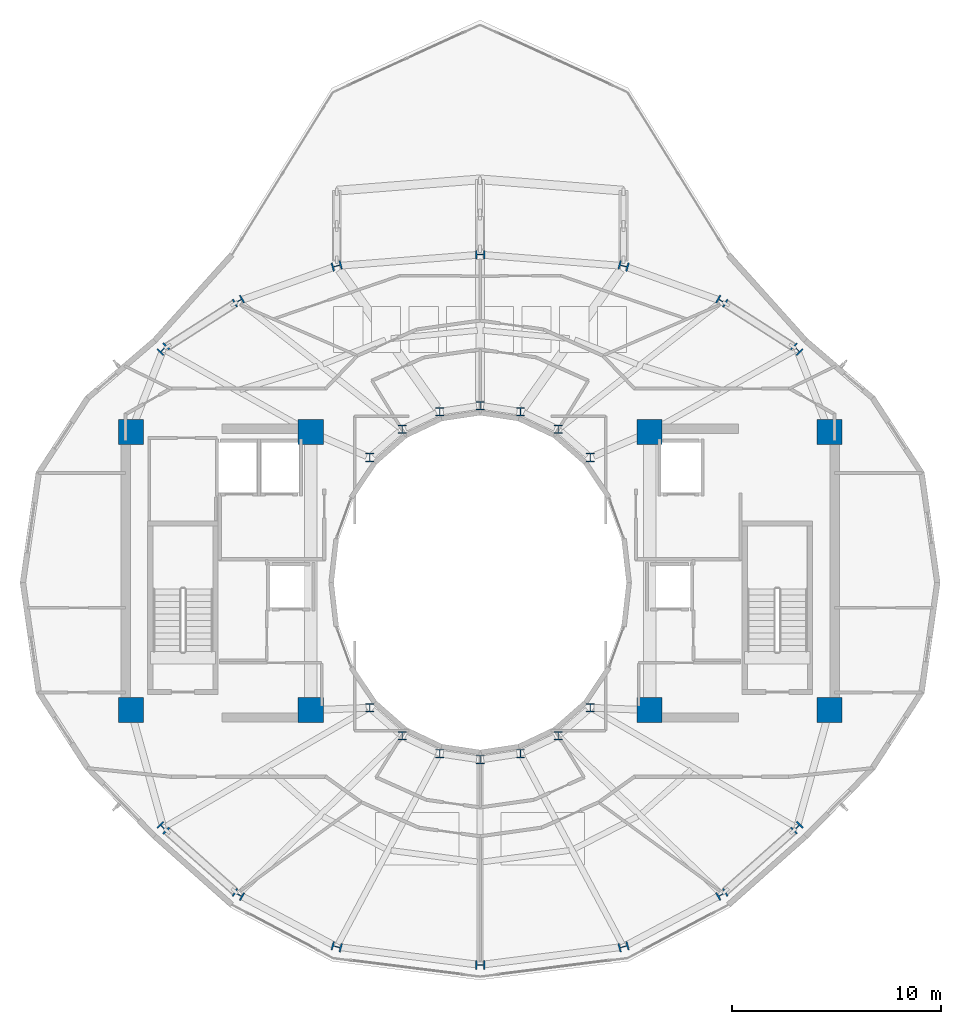
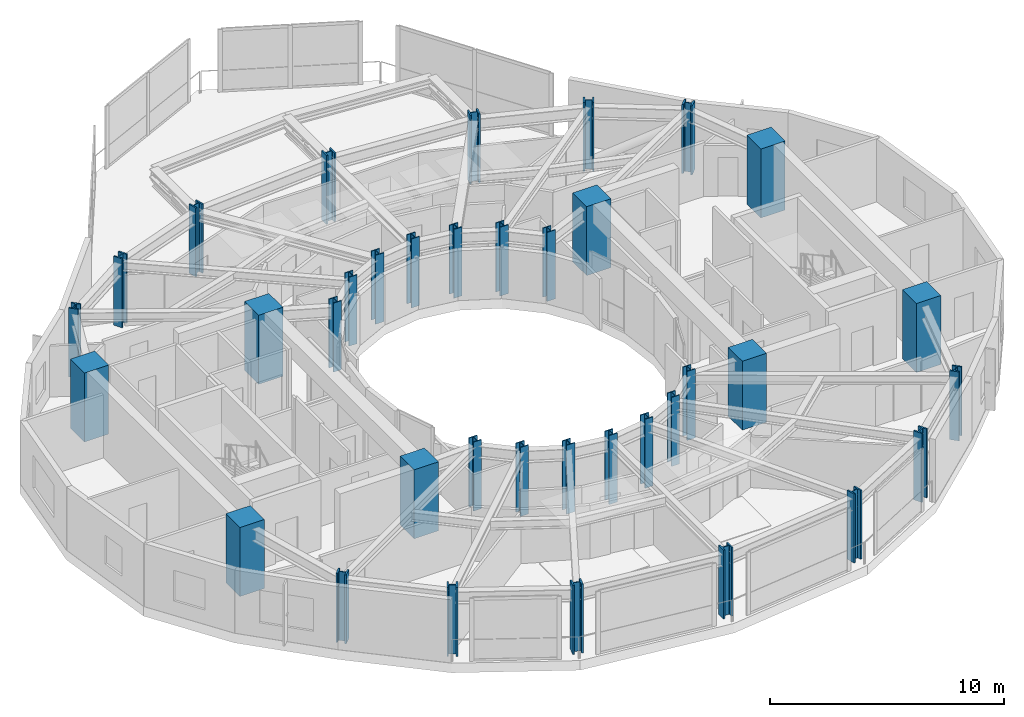
# One storey, part 1 of 25: 36 columns.
"""IFC4 building model written with IfcOpenShell, lengths in metres."""

from ifc_helpers import new_model, si_unit, direction, frame, origin, origin_2d, place, context, subcontext, project, spatial, rectangle, i_section, extrude, material, material_profile, profile_set, type_object, element, save


model = new_model("IFC4")

# Units and contexts
model_context = context("Model", 3, precision=1e-05, world=origin(), true_north=direction((0.0, 1.0)))
body_context = subcontext(model_context, "Body", "Model", "MODEL_VIEW")
ifc_project = project(units=[si_unit("LENGTHUNIT", "METRE"), si_unit("AREAUNIT", "SQUARE_METRE"), si_unit("VOLUMEUNIT", "CUBIC_METRE"), si_unit("PLANEANGLEUNIT", "RADIAN"), si_unit("MASSUNIT", "GRAM", prefix="KILO")], contexts=[model_context])

# Site, building, storey
site_placement = place(None, origin())
site = spatial("IfcSite", under=ifc_project, at=site_placement, CompositionType="ELEMENT")
building_placement = place(site_placement, origin())
building = spatial("IfcBuilding", under=site, at=building_placement, Name="Solvane Sanctuary Tower", CompositionType="ELEMENT")
storey_placement = place(building_placement, frame((0.0, 0.0, 238.800048828125)))
storey = spatial("IfcBuildingStorey", under=building, at=storey_placement, Name="L73", CompositionType="ELEMENT", Elevation=238.800048828125)

# Columns
ifc_material_1 = material(Name="Steel ASTM A913 Grade 65", Category="steel")
ifc_material_profile_1 = material_profile(ifc_material_1, i_section(OverallWidth=0.422119140625, OverallDepth=0.465087890625, WebThickness=0.044921875, FlangeThickness=0.072509765625, FilletRadius=0.02490234375, at=origin_2d()), Name="W14X398")
ifc_profile_set_1 = profile_set([ifc_material_profile_1], Name="Steel ASTM A913 Grade 65")
column_type_1 = type_object("IfcColumnType", Name="Column C-CANT W14X398", PredefinedType="COLUMN", material=ifc_profile_set_1)
for number, where, z_axis, x_axis, name in (
    (1, (47.14501953125, 34.159423828125, 0.0), (0.0, 0.0, 1.0), (0.707106781187, 0.707106781187, 0.0), "L73 Perimeter Tube Column TC01"),
    (2, (43.55517578125, 36.45703125, 0.0), (0.0, 0.0, 1.0), (0.5, 0.866025403784, 0.0), "L73 Perimeter Tube Column TC02"),
    (3, (38.856201171875, 38.13818359375, 0.0), (0.0, 0.0, 1.0), (0.258819045103, 0.965925826289, 0.0), "L73 Perimeter Tube Column TC03"),
    (4, (32.0, 38.679931640625, 0.0), (0.0, 0.0, 1.0), (0.0, 1.0, 0.0), "L73 Perimeter Tube Column TC04"),
    (5, (25.143798828125, 38.13818359375, 0.0), (0.0, 0.0, 1.0), (-0.258819045103, 0.965925826289, 0.0), "L73 Perimeter Tube Column TC05"),
    (6, (20.44482421875, 36.45703125, 0.0), (0.0, 0.0, 1.0), (-0.5, 0.866025403784, 0.0), "L73 Perimeter Tube Column TC06"),
    (7, (16.85498046875, 34.159423828125, 0.0), (0.0, 0.0, 1.0), (-0.707106781187, 0.707106781187, 0.0), "L73 Perimeter Tube Column TC07"),
    (8, (16.85498046875, 11.279052734375, 0.0), (0.0, 0.0, 1.0), (-0.707106781187, -0.707106781187, 0.0), "L73 Perimeter Tube Column TC08"),
    (9, (20.44482421875, 8.086181640625, 0.0), (0.0, 0.0, 1.0), (-0.5, -0.866025403784, 0.0), "L73 Perimeter Tube Column TC09"),
    (10, (25.143798828125, 5.588623046875, 0.0), (0.0, 0.0, 1.0), (-0.258819045103, -0.965925826289, 0.0), "L73 Perimeter Tube Column TC10"),
    (11, (32.0, 4.719970703125, 0.0), (0.0, 0.0, 1.0), (0.0, -1.0, 0.0), "L73 Perimeter Tube Column TC11"),
    (12, (38.856201171875, 5.588623046875, 0.0), (0.0, 0.0, 1.0), (0.258819045103, -0.965925826289, 0.0), "L73 Perimeter Tube Column TC12"),
    (13, (43.55517578125, 8.086181640625, 0.0), (0.0, 0.0, 1.0), (0.5, -0.866025403784, 0.0), "L73 Perimeter Tube Column TC13"),
    (14, (47.14501953125, 11.279052734375, 0.0), (0.0, 0.0, 1.0), (0.707106781187, -0.707106781187, 0.0), "L73 Perimeter Tube Column TC14"),
):
    element("IfcColumn", number, at=place(storey_placement, frame(where, z_axis=z_axis, x_axis=x_axis)), inside=storey, type_object=column_type_1, Name=name, PredefinedType="COLUMN", context=body_context, shape_type="SweptSolid", body=[
        extrude(i_section(OverallWidth=0.422119140625, OverallDepth=0.465087890625, WebThickness=0.044921875, FlangeThickness=0.072509765625, FilletRadius=0.02490234375, at=origin_2d()), origin(), (0.0, 0.0, 1.0), 3.599853515625),
    ])
ifc_material_profile_2 = material_profile(ifc_material_1, i_section(OverallWidth=0.404052734375, OverallDepth=0.406982421875, WebThickness=0.027099609375, FlangeThickness=0.043701171875, FilletRadius=0.02490234375, at=origin_2d()), Name="W14X233")
ifc_profile_set_2 = profile_set([ifc_material_profile_2], Name="Steel ASTM A913 Grade 65")
column_type_2 = type_object("IfcColumnType", Name="Column C-LOUNGE W14X233", PredefinedType="COLUMN", material=ifc_profile_set_2)
for number, where, z_axis, x_axis, name in (
    (15, (37.27490234375, 28.982177734375, 0.0), (0.0, 0.0, 1.0), (1.0, 0.0, 0.0), "L73 Inner Light-Well Ring Column IC01"),
    (16, (35.72998046875, 30.32666015625, 0.0), (0.0, 0.0, 1.0), (1.0, 0.0, 0.0), "L73 Inner Light-Well Ring Column IC02"),
    (17, (33.930908203125, 31.171630859375, 0.0), (0.0, 0.0, 1.0), (1.0, 0.0, 0.0), "L73 Inner Light-Well Ring Column IC03"),
    (18, (32.0, 31.4599609375, 0.0), (0.0, 0.0, 1.0), (1.0, 0.0, 0.0), "L73 Inner Light-Well Ring Column IC04"),
    (19, (30.069091796875, 31.171630859375, 0.0), (0.0, 0.0, 1.0), (1.0, 0.0, 0.0), "L73 Inner Light-Well Ring Column IC05"),
    (20, (28.27001953125, 30.32666015625, 0.0), (0.0, 0.0, 1.0), (1.0, 0.0, 0.0), "L73 Inner Light-Well Ring Column IC06"),
    (21, (26.72509765625, 28.982177734375, 0.0), (0.0, 0.0, 1.0), (1.0, 0.0, 0.0), "L73 Inner Light-Well Ring Column IC07"),
    (22, (26.72509765625, 17.017822265625, 0.0), (0.0, 0.0, 1.0), (1.0, 0.0, 0.0), "L73 Inner Light-Well Ring Column IC08"),
    (23, (28.27001953125, 15.67333984375, 0.0), (0.0, 0.0, 1.0), (1.0, 0.0, 0.0), "L73 Inner Light-Well Ring Column IC09"),
    (24, (30.069091796875, 14.828369140625, 0.0), (0.0, 0.0, 1.0), (1.0, 0.0, 0.0), "L73 Inner Light-Well Ring Column IC10"),
    (25, (32.0, 14.5400390625, 0.0), (0.0, 0.0, 1.0), (1.0, 0.0, 0.0), "L73 Inner Light-Well Ring Column IC11"),
    (26, (33.930908203125, 14.828369140625, 0.0), (0.0, 0.0, 1.0), (1.0, 0.0, 0.0), "L73 Inner Light-Well Ring Column IC12"),
    (27, (35.72998046875, 15.67333984375, 0.0), (0.0, 0.0, 1.0), (1.0, 0.0, 0.0), "L73 Inner Light-Well Ring Column IC13"),
    (28, (37.27490234375, 17.017822265625, 0.0), (0.0, 0.0, 1.0), (1.0, 0.0, 0.0), "L73 Inner Light-Well Ring Column IC14"),
):
    element("IfcColumn", number, at=place(storey_placement, frame(where, z_axis=z_axis, x_axis=x_axis)), inside=storey, type_object=column_type_2, Name=name, PredefinedType="COLUMN", context=body_context, shape_type="SweptSolid", body=[
        extrude(i_section(OverallWidth=0.404052734375, OverallDepth=0.406982421875, WebThickness=0.027099609375, FlangeThickness=0.043701171875, FilletRadius=0.02490234375, at=origin_2d()), origin(), (0.0, 0.0, 1.0), 3.599853515625),
    ])
ifc_material_2 = material(Name="Concrete C70/85", Category="concrete")
ifc_material_profile_3 = material_profile(ifc_material_2, rectangle(XDim=1.199951171875, YDim=1.199951171875, at=origin_2d()), Name="RC1200X1200")
ifc_profile_set_3 = profile_set([ifc_material_profile_3], Name="Concrete C70/85")
column_type_3 = type_object("IfcColumnType", Name="Column C-TUBE-Z1 RC1200X1200", PredefinedType="COLUMN", material=ifc_profile_set_3)
for number, where, z_axis, x_axis, name in (
    (29, (15.300048828125, 16.89990234375, 0.0), (0.0, 0.0, 1.0), (1.0, 0.0, 0.0), "L73 Core Corner Column CW1"),
    (30, (23.89990234375, 16.89990234375, 0.0), (0.0, 0.0, 1.0), (1.0, 0.0, 0.0), "L73 Core Corner Column CW2"),
    (31, (23.89990234375, 30.199951171875, 0.0), (0.0, 0.0, 1.0), (1.0, 0.0, 0.0), "L73 Core Corner Column CW3"),
    (32, (15.300048828125, 30.199951171875, 0.0), (0.0, 0.0, 1.0), (1.0, 0.0, 0.0), "L73 Core Corner Column CW4"),
    (33, (40.10009765625, 16.89990234375, 0.0), (0.0, 0.0, 1.0), (1.0, 0.0, 0.0), "L73 Core Corner Column CE1"),
    (34, (48.699951171875, 16.89990234375, 0.0), (0.0, 0.0, 1.0), (1.0, 0.0, 0.0), "L73 Core Corner Column CE2"),
    (35, (48.699951171875, 30.199951171875, 0.0), (0.0, 0.0, 1.0), (1.0, 0.0, 0.0), "L73 Core Corner Column CE3"),
    (36, (40.10009765625, 30.199951171875, 0.0), (0.0, 0.0, 1.0), (1.0, 0.0, 0.0), "L73 Core Corner Column CE4"),
):
    element("IfcColumn", number, at=place(storey_placement, frame(where, z_axis=z_axis, x_axis=x_axis)), inside=storey, type_object=column_type_3, Name=name, PredefinedType="COLUMN", context=body_context, shape_type="SweptSolid", body=[
        extrude(rectangle(XDim=1.199951171875, YDim=1.199951171875, at=origin_2d()), origin(), (0.0, 0.0, 1.0), 3.599853515625),
    ])

save(model, "model.ifc")
